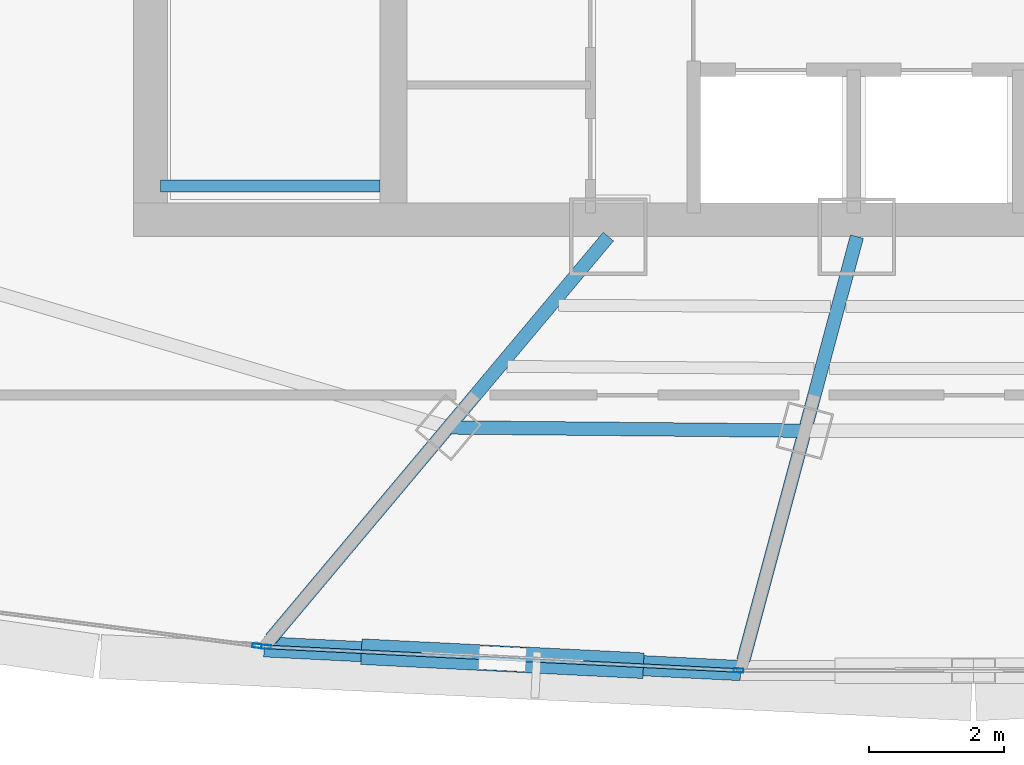
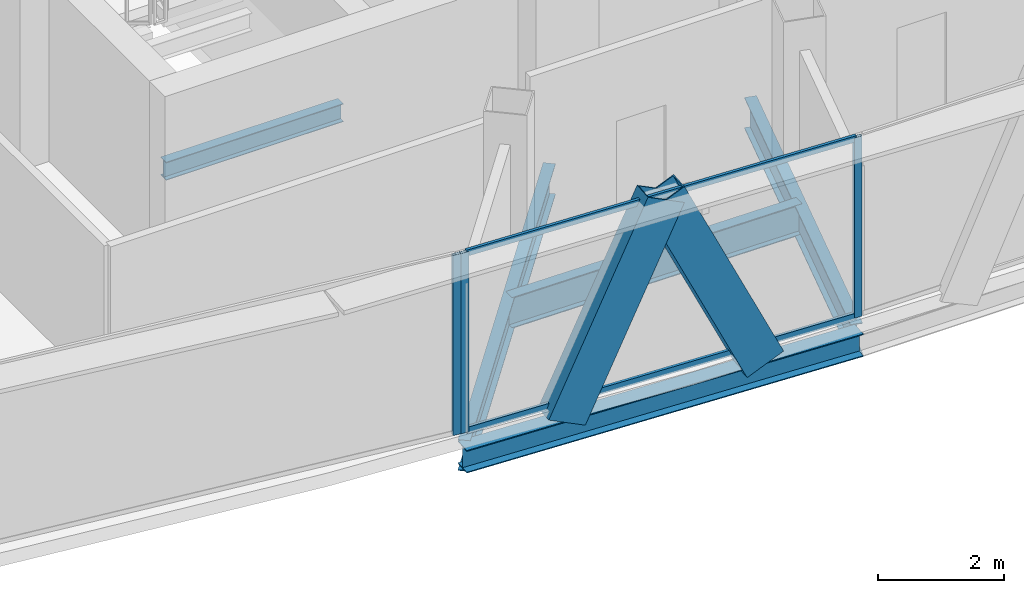
# One storey, part 6 of 33: 7 members, 5 beams, 2 elements without a shape of their own.
"""IFC4 building model written with IfcOpenShell, lengths in metres."""

from ifc_helpers import new_model, si_unit, direction, frame, origin, origin_2d, place, context, subcontext, project, spatial, hollow_rectangle, i_section, extrude, source, transform, mapped, material, layer, layer_set, material_profile, profile_set, type_object, element, aggregate, save


model = new_model("IFC4")

# Units and contexts
model_context = context("Model", 3, precision=1e-05, world=origin(), true_north=direction((0.0, 1.0)))
body_context = subcontext(model_context, "Body", "Model", "MODEL_VIEW")
ifc_project = project(units=[si_unit("LENGTHUNIT", "METRE"), si_unit("AREAUNIT", "SQUARE_METRE"), si_unit("VOLUMEUNIT", "CUBIC_METRE"), si_unit("PLANEANGLEUNIT", "RADIAN"), si_unit("MASSUNIT", "GRAM", prefix="KILO"), si_unit("THERMODYNAMICTEMPERATUREUNIT", "KELVIN"), si_unit("POWERUNIT", "WATT")], contexts=[model_context])

# Site, building, storey
site_placement = place(None, origin())
site = spatial("IfcSite", under=ifc_project, at=site_placement, CompositionType="ELEMENT")
building_placement = place(site_placement, origin())
building = spatial("IfcBuilding", under=site, at=building_placement, Name="Yunzhuo Pagoda Commons", CompositionType="ELEMENT")
storey_placement = place(building_placement, frame((0.0, 0.0, 325.510009765625)))
storey = spatial("IfcBuildingStorey", under=building, at=storey_placement, Name="L81", CompositionType="ELEMENT", Elevation=325.510009765625)

# Beams
ifc_material_1 = material(Name="Structural steel Q355B", Category="steel")
ifc_material_profile_1 = material_profile(ifc_material_1, i_section(OverallWidth=0.175048828125, OverallDepth=0.35009765625, WebThickness=0.007080078125, FlangeThickness=0.010986328125, at=origin_2d()), Name="Structural steel Q355B")
ifc_profile_set_1 = profile_set([ifc_material_profile_1], Name="Structural steel Q355B")
beam_type_1 = type_object("IfcBeamType", Name="B-JS2 Joist HN 350x175x7x11", PredefinedType="JOIST", material=ifc_profile_set_1)
shared_shape_1 = source(origin(), body_context, "Body", "SweptSolid", [
    extrude(i_section(OverallWidth=0.175048828125, OverallDepth=0.35009765625, WebThickness=0.007080078125, FlangeThickness=0.010986328125, at=origin_2d()), origin(), (0.0, 0.0, 1.0), 3.25),
])
beam_1_placement = place(storey_placement, frame((35.949951171875, 28.0, 1.5), z_axis=(1.0, 0.0, 0.0), x_axis=(0.0, 1.0, 0.0)))
element("IfcBeam", 1, at=beam_1_placement, inside=storey, type_object=beam_type_1, Name="L81 ST1 landing support beam 87A", PredefinedType="JOIST", context=body_context, shape_type="MappedRepresentation", body=[
    mapped(shared_shape_1, transform((0.0, 0.0, 0.0), scale=1.0)),
])
ifc_material_profile_2 = material_profile(ifc_material_1, i_section(OverallWidth=0.300048828125, OverallDepth=0.43994140625, WebThickness=0.010986328125, FlangeThickness=0.01806640625, at=origin_2d()), Name="Structural steel Q355B")
ifc_profile_set_2 = profile_set([ifc_material_profile_2], Name="Structural steel Q355B")
beam_type_2 = type_object("IfcBeamType", Name="B-SP2 Beam HM 440x300x11x18", PredefinedType="BEAM", material=ifc_profile_set_2)
shared_shape_2 = source(origin(), body_context, "Body", "SweptSolid", [
    extrude(i_section(OverallWidth=0.300048828125, OverallDepth=0.43994140625, WebThickness=0.010986328125, FlangeThickness=0.01806640625, at=origin_2d()), origin(), (0.0, 0.0, 1.0), 7.0712890625),
])
beam_2_placement = place(storey_placement, frame((37.485595703125, 21.16943359375, -0.47998046875), z_axis=(0.998758186738, -0.049820522105, 0.0), x_axis=(0.049820522105, 0.998758186738, 0.0)))
element("IfcBeam", 2, at=beam_2_placement, inside=storey, type_object=beam_type_2, Name="L81 facade edge spandrel beam F1.1", PredefinedType="BEAM", context=body_context, shape_type="MappedRepresentation", body=[
    mapped(shared_shape_2, transform((0.0, 0.0, 0.0), scale=1.0)),
])
ifc_material_profile_3 = material_profile(ifc_material_1, i_section(OverallWidth=0.199951171875, OverallDepth=0.60009765625, WebThickness=0.010986328125, FlangeThickness=0.01708984375, at=origin_2d()), Name="Structural steel Q355B")
ifc_profile_set_3 = profile_set([ifc_material_profile_3], Name="Structural steel Q355B")
beam_type_3 = type_object("IfcBeamType", Name="B-RG3 Beam HN 600x200x11x17", PredefinedType="BEAM", material=ifc_profile_set_3)
shared_shape_3 = source(origin(), body_context, "Body", "SweptSolid", [
    extrude(i_section(OverallWidth=0.199951171875, OverallDepth=0.60009765625, WebThickness=0.010986328125, FlangeThickness=0.01708984375, at=origin_2d()), origin(), (0.0, 0.0, 1.0), 5.286376953125),
])
beam_3_placement = place(storey_placement, frame((40.214599609375, 24.421630859375, -0.56005859375), z_axis=(0.999957341442, -0.009236627946, 0.0), x_axis=(0.009236627946, 0.999957341442, 0.0)))
element("IfcBeam", 3, at=beam_3_placement, inside=storey, type_object=beam_type_3, Name="L81 column-ring beam 1", PredefinedType="BEAM", context=body_context, shape_type="MappedRepresentation", body=[
    mapped(shared_shape_3, transform((0.0, 0.0, 0.0), scale=1.0)),
])
shared_shape_4 = source(origin(), body_context, "Body", "SweptSolid", [
    extrude(i_section(OverallWidth=0.199951171875, OverallDepth=0.60009765625, WebThickness=0.010986328125, FlangeThickness=0.01708984375, at=origin_2d()), origin(), (0.0, 0.0, 1.0), 7.78271484375),
])
beam_4_placement = place(storey_placement, frame((37.585205078125, 21.2880859375, -0.56005859375), z_axis=(0.642791052162, 0.766041554526, 0.0), x_axis=(-0.766041554526, 0.642791052162, 0.0)))
element("IfcBeam", 4, at=beam_4_placement, inside=storey, type_object=beam_type_3, Name="L81 radial floor girder F1C1", PredefinedType="BEAM", context=body_context, shape_type="MappedRepresentation", body=[
    mapped(shared_shape_4, transform((0.0, 0.0, 0.0), scale=1.0)),
])
shared_shape_5 = source(origin(), body_context, "Body", "SweptSolid", [
    extrude(i_section(OverallWidth=0.199951171875, OverallDepth=0.60009765625, WebThickness=0.010986328125, FlangeThickness=0.01708984375, at=origin_2d()), origin(), (0.0, 0.0, 1.0), 6.5048828125),
])
beam_5_placement = place(storey_placement, frame((44.588134765625, 20.966796875, -0.56005859375), z_axis=(0.258856148938, 0.965915883583, 0.0), x_axis=(-0.965915883583, 0.258856148938, 0.0)))
element("IfcBeam", 5, at=beam_5_placement, inside=storey, type_object=beam_type_3, Name="L81 radial floor girder F1C2", PredefinedType="BEAM", context=body_context, shape_type="MappedRepresentation", body=[
    mapped(shared_shape_5, transform((0.0, 0.0, 0.0), scale=1.0)),
])

# Members
ifc_material_profile_4 = material_profile(ifc_material_1, hollow_rectangle(XDim=0.3798828125, YDim=0.719970703125, WallThickness=0.02001953125, at=origin_2d()), Name="Structural steel Q355B")
ifc_profile_set_4 = profile_set([ifc_material_profile_4], Name="Structural steel Q355B")
member_type_1 = type_object("IfcMemberType", Name="M-DL3 Brace BOX 720x380x20", PredefinedType="BRACE", material=ifc_profile_set_4)
shared_shape_6 = source(origin(), body_context, "Body", "SweptSolid", [
    extrude(hollow_rectangle(XDim=0.3798828125, YDim=0.719970703125, WallThickness=0.02001953125, at=origin_2d()), origin(), (0.0, 0.0, 1.0), 4.145751953125),
])
for number, where, z_axis, x_axis, name in (
    (6, (39.251220703125, 21.081298828125, -0.260009765625), (0.425882304074, -0.021258782048, 0.904528787415), (0.049854961977, 0.998756468197, 0.0), "L81 facade diamond brace F1.1L"),
    (7, (42.782470703125, 20.905029296875, -0.260009765625), (-0.425882304074, 0.021258782048, 0.904528787415), (-0.049854961977, -0.998756468197, 0.0), "L81 facade diamond brace F1.1R"),
):
    element("IfcMember", number, at=place(storey_placement, frame(where, z_axis=z_axis, x_axis=x_axis)), inside=storey, type_object=member_type_1, Name=name, PredefinedType="BRACE", context=body_context, shape_type="MappedRepresentation", body=[
        mapped(shared_shape_6, transform((0.0, 0.0, 0.0), scale=1.0)),
    ])

# Curtain wall, members
ifc_material_2 = material(Name="Anodized aluminium 6063-T6", Category="aluminium")
ifc_layer = layer(ifc_material_2, 0.139892578125)
ifc_layer_set = layer_set([ifc_layer], Name="Anodized aluminium 6063-T6")
curtain_wall_type = type_object("IfcCurtainWallType", Name="CW-HI High-Zone Ribbon Curtain Wall", PredefinedType="NOTDEFINED", material=ifc_layer_set)
curtain_wall_1_placement = place(storey_placement, origin())
curtain_wall_1 = element("IfcCurtainWall", 8, at=curtain_wall_1_placement, inside=storey, type_object=curtain_wall_type, Name="L81 curtain wall CW-L81-F1B2", PredefinedType="NOTDEFINED")
ifc_material_profile_5 = material_profile(ifc_material_2, hollow_rectangle(XDim=0.06005859375, YDim=0.139892578125, WallThickness=0.00341796875, at=origin_2d()), Name="Anodized aluminium 6063-T6")
ifc_profile_set_5 = profile_set([ifc_material_profile_5], Name="Anodized aluminium 6063-T6")
member_type_2 = type_object("IfcMemberType", Name="CW-HI-M Mullion RHS 140x60x3.5", PredefinedType="MULLION", material=ifc_profile_set_5)
shared_shape_7 = source(origin(), body_context, "Body", "SweptSolid", [
    extrude(hollow_rectangle(XDim=0.06005859375, YDim=0.139892578125, WallThickness=0.00341796875, at=origin_2d()), origin(), (0.0, 0.0, 1.0), 3.489990234375),
])
member_1_placement = place(storey_placement, frame((37.515625, 21.16796875, 0.0), z_axis=(0.0, 0.0, 1.0), x_axis=(0.049850155702, 0.998756708101, 0.0)))
member_1 = element("IfcMember", 9, at=member_1_placement, type_object=member_type_2, Name="CW mullion 1", PredefinedType="MULLION", context=body_context, shape_type="MappedRepresentation", body=[
    mapped(shared_shape_7, transform((0.0, 0.0, 0.0), scale=1.0)),
])
member_2_placement = place(storey_placement, frame((44.51806640625, 20.818359375, 0.0), z_axis=(0.0, 0.0, 1.0), x_axis=(0.049850155702, 0.998756708101, 0.0)))
member_2 = element("IfcMember", 10, at=member_2_placement, type_object=member_type_2, Name="CW mullion 2", PredefinedType="MULLION", context=body_context, shape_type="MappedRepresentation", body=[
    mapped(shared_shape_7, transform((0.0, 0.0, 0.0), scale=1.0)),
])

# Curtain wall, member
curtain_wall_2_placement = place(storey_placement, origin())
curtain_wall_2 = element("IfcCurtainWall", 11, at=curtain_wall_2_placement, inside=storey, type_object=curtain_wall_type, Name="L81 curtain wall CW-L81-F1B1", PredefinedType="NOTDEFINED")
member_3_placement = place(storey_placement, frame((37.38134765625, 21.182861328125, 0.0), z_axis=(0.0, 0.0, 1.0), x_axis=(0.128276018031, 0.991738505453, 0.0)))
member_3 = element("IfcMember", 12, at=member_3_placement, type_object=member_type_2, Name="CW mullion 2", PredefinedType="MULLION", context=body_context, shape_type="MappedRepresentation", body=[
    mapped(shared_shape_7, transform((0.0, 0.0, 0.0), scale=1.0)),
])
aggregate(curtain_wall_2, [member_3])

# Member
ifc_material_profile_6 = material_profile(ifc_material_2, hollow_rectangle(XDim=0.054931640625, YDim=0.1201171875, WallThickness=0.00341796875, at=origin_2d()), Name="Anodized aluminium 6063-T6")
ifc_profile_set_6 = profile_set([ifc_material_profile_6], Name="Anodized aluminium 6063-T6")
member_type_3 = type_object("IfcMemberType", Name="CW-HI-T Transom RHS 120x55x3.5", PredefinedType="USERDEFINED", material=ifc_profile_set_6)
shared_shape_8 = source(origin(), body_context, "Body", "SweptSolid", [
    extrude(hollow_rectangle(XDim=0.054931640625, YDim=0.1201171875, WallThickness=0.00341796875, at=origin_2d()), origin(), (0.0, 0.0, 1.0), 6.951171875),
])
member_4_placement = place(storey_placement, frame((37.54541015625, 21.16650390625, 0.027587890625), z_axis=(0.99875557743, -0.04987280374, 0.0), x_axis=(0.04987280374, 0.99875557743, 0.0)))
member_4 = element("IfcMember", 13, at=member_4_placement, type_object=member_type_3, Name="CW transom 1.1", ObjectType="TRANSOM", PredefinedType="USERDEFINED", context=body_context, shape_type="MappedRepresentation", body=[
    mapped(shared_shape_8, transform((0.0, 0.0, 0.0), scale=1.0)),
])

member_5_placement = place(storey_placement, frame((37.54541015625, 21.16650390625, 3.46240234375), z_axis=(0.99875557743, -0.04987280374, 0.0), x_axis=(0.04987280374, 0.99875557743, 0.0)))
member_5 = element("IfcMember", 14, at=member_5_placement, type_object=member_type_3, Name="CW transom 1.2", ObjectType="TRANSOM", PredefinedType="USERDEFINED", context=body_context, shape_type="MappedRepresentation", body=[
    mapped(shared_shape_8, transform((0.0, 0.0, 0.0), scale=1.0)),
])

aggregate(curtain_wall_1, [member_1, member_2, member_4, member_5])

save(model, "model.ifc")
